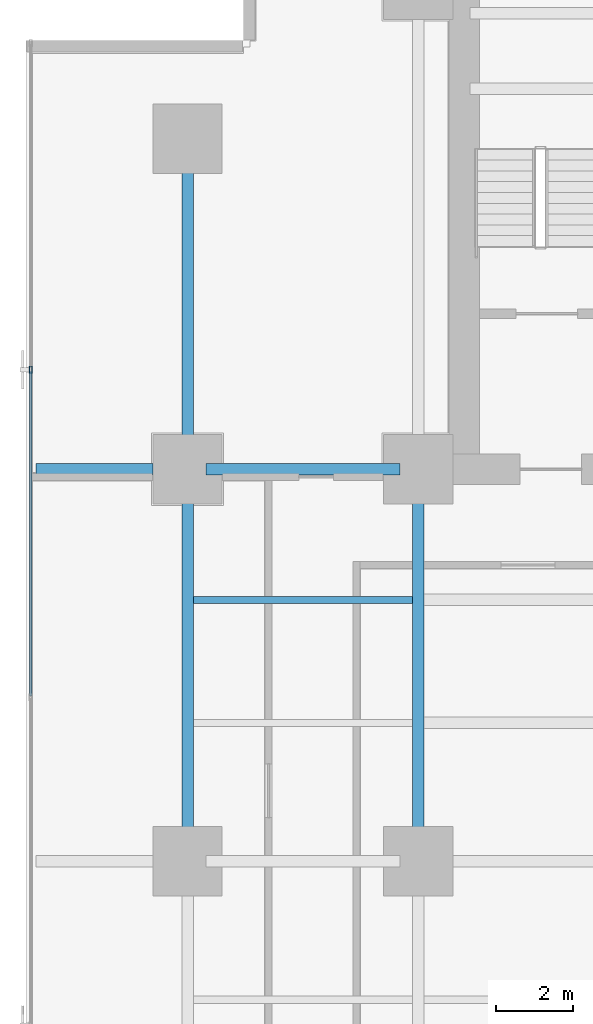
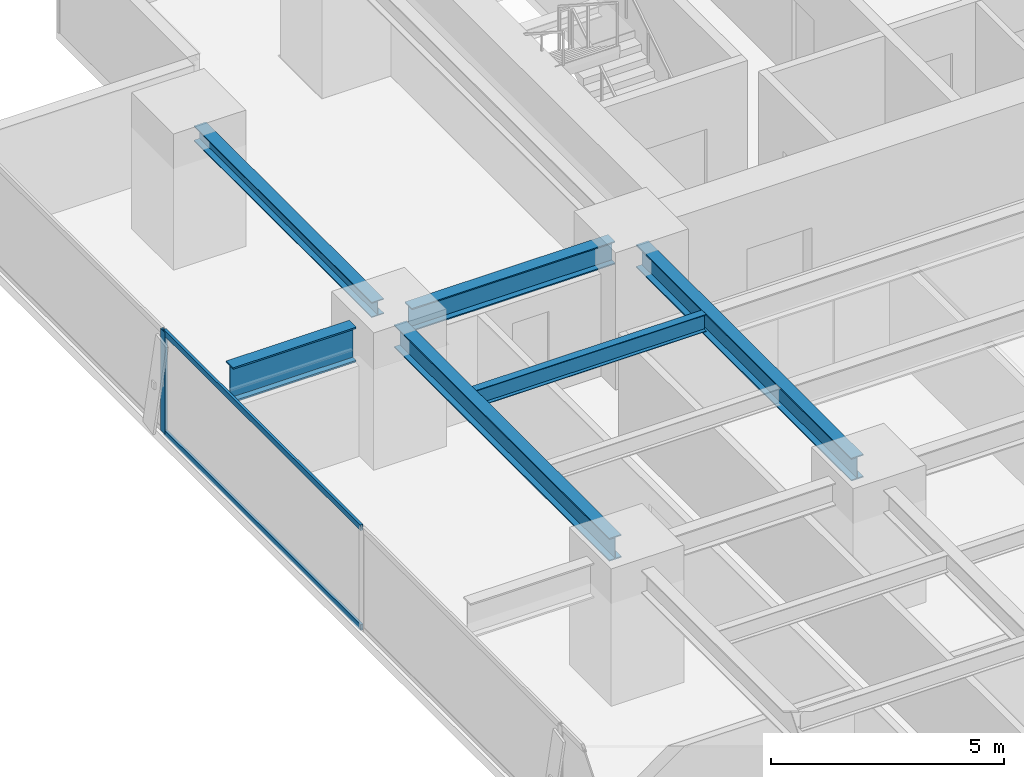
# One storey, part 16 of 33: 6 beams, 3 members, 1 element without a shape of its own.
"""IFC4 building model written with IfcOpenShell, lengths in metres."""

from ifc_helpers import new_model, si_unit, direction, frame, origin, origin_2d, place, context, subcontext, project, spatial, hollow_rectangle, i_section, extrude, source, transform, mapped, material, layer, layer_set, material_profile, profile_set, type_object, element, aggregate, save


model = new_model("IFC4")

# Units and contexts
model_context = context("Model", 3, precision=1e-05, world=origin(), true_north=direction((0.0, 1.0)))
body_context = subcontext(model_context, "Body", "Model", "MODEL_VIEW")
ifc_project = project(units=[si_unit("LENGTHUNIT", "METRE"), si_unit("AREAUNIT", "SQUARE_METRE"), si_unit("VOLUMEUNIT", "CUBIC_METRE"), si_unit("PLANEANGLEUNIT", "RADIAN"), si_unit("MASSUNIT", "GRAM", prefix="KILO")], contexts=[model_context])

# Site, building, storey
site_placement = place(None, origin())
site = spatial("IfcSite", under=ifc_project, at=site_placement, CompositionType="ELEMENT")
building_placement = place(site_placement, origin())
building = spatial("IfcBuilding", under=site, at=building_placement, Name="Sumidabori Civic Tower", CompositionType="ELEMENT")
storey_placement = place(building_placement, frame((0.0, 0.0, 66.800048828125)))
storey = spatial("IfcBuildingStorey", under=building, at=storey_placement, Name="L17", CompositionType="ELEMENT", Elevation=66.800048828125)

# Beams
ifc_material_1 = material(Name="Steel SN490", Category="steel")
ifc_material_profile_1 = material_profile(ifc_material_1, i_section(OverallWidth=0.300048828125, OverallDepth=0.60009765625, WebThickness=0.015380859375, FlangeThickness=0.030029296875, at=origin_2d()), Name="HE 600 B")
ifc_profile_set_1 = profile_set([ifc_material_profile_1], Name="Steel SN490")
beam_type_1 = type_object("IfcBeamType", Name="BM-GIRD-600", PredefinedType="BEAM", material=ifc_profile_set_1)
shared_shape_1 = source(origin(), body_context, "Body", "SweptSolid", [
    extrude(i_section(OverallWidth=0.300048828125, OverallDepth=0.60009765625, WebThickness=0.015380859375, FlangeThickness=0.030029296875, at=origin_2d()), origin(), (0.0, 0.0, 1.0), 5.0400390625),
])
beam_1_placement = place(storey_placement, frame((-22.320068359375, 10.199951171875, 3.0), z_axis=(1.0, 0.0, 0.0), x_axis=(0.0, 1.0, 0.0)))
element("IfcBeam", 1, at=beam_1_placement, inside=storey, type_object=beam_type_1, Name="Primary Girder L17 GX-19", PredefinedType="BEAM", context=body_context, shape_type="MappedRepresentation", body=[
    mapped(shared_shape_1, transform((0.0, 0.0, 0.0), x_axis=(1.0, 0.0, 0.0), y_axis=(0.0, 1.0, 0.0), z_axis=(0.0, 0.0, 1.0), scale=1.0)),
])
shared_shape_2 = source(origin(), body_context, "Body", "SweptSolid", [
    extrude(i_section(OverallWidth=0.300048828125, OverallDepth=0.60009765625, WebThickness=0.015380859375, FlangeThickness=0.030029296875, at=origin_2d()), origin(), (0.0, 0.0, 1.0), 9.239990234375),
])
for number, where, z_axis, x_axis, name in (
    (2, (-22.800048828125, 0.47998046875, 3.0), (0.0, 1.0, 0.0), (-1.0, 0.0, 0.0), "Primary Girder L17 GY-23"),
    (3, (-16.800048828125, 0.47998046875, 3.0), (0.0, 1.0, 0.0), (-1.0, 0.0, 0.0), "Primary Girder L17 GY-27"),
):
    element("IfcBeam", number, at=place(storey_placement, frame(where, z_axis=z_axis, x_axis=x_axis)), inside=storey, type_object=beam_type_1, Name=name, PredefinedType="BEAM", context=body_context, shape_type="MappedRepresentation", body=[
        mapped(shared_shape_2, transform((0.0, 0.0, 0.0), x_axis=(1.0, 0.0, 0.0), y_axis=(0.0, 1.0, 0.0), z_axis=(0.0, 0.0, 1.0), scale=1.0)),
    ])
ifc_material_profile_2 = material_profile(ifc_material_1, i_section(OverallWidth=0.300048828125, OverallDepth=0.39990234375, WebThickness=0.013427734375, FlangeThickness=0.02392578125, at=origin_2d()), Name="HE 400 B")
ifc_profile_set_2 = profile_set([ifc_material_profile_2], Name="Steel SN490")
beam_type_2 = type_object("IfcBeamType", Name="BM-GIRD-400", PredefinedType="BEAM", material=ifc_profile_set_2)
shared_shape_3 = source(origin(), body_context, "Body", "SweptSolid", [
    extrude(i_section(OverallWidth=0.300048828125, OverallDepth=0.39990234375, WebThickness=0.013427734375, FlangeThickness=0.02392578125, at=origin_2d()), origin(), (0.0, 0.0, 1.0), 7.64013671875),
])
beam_2_placement = place(storey_placement, frame((-22.800048828125, 10.679931640625, 3.099853515625), z_axis=(0.0, 1.0, 0.0), x_axis=(-1.0, 0.0, 0.0)))
element("IfcBeam", 4, at=beam_2_placement, inside=storey, type_object=beam_type_2, Name="Primary Girder L17 GY-24", PredefinedType="BEAM", context=body_context, shape_type="MappedRepresentation", body=[
    mapped(shared_shape_3, transform((0.0, 0.0, 0.0), x_axis=(1.0, 0.0, 0.0), y_axis=(0.0, 1.0, 0.0), z_axis=(0.0, 0.0, 1.0), scale=1.0)),
])
ifc_material_profile_3 = material_profile(ifc_material_1, i_section(OverallWidth=0.302001953125, OverallDepth=0.909912109375, WebThickness=0.02099609375, FlangeThickness=0.0400390625, at=origin_2d()), Name="HE 900 M")
ifc_profile_set_3 = profile_set([ifc_material_profile_3], Name="Steel SN490")
beam_type_3 = type_object("IfcBeamType", Name="BM-Z1-EDGE", PredefinedType="SPANDREL", material=ifc_profile_set_3)
shared_shape_4 = source(origin(), body_context, "Body", "SweptSolid", [
    extrude(i_section(OverallWidth=0.302001953125, OverallDepth=0.909912109375, WebThickness=0.02099609375, FlangeThickness=0.0400390625, at=origin_2d()), origin(), (0.0, 0.0, 1.0), 3.050048828125),
])
beam_3_placement = place(storey_placement, frame((-26.75, 10.199951171875, 2.844970703125), z_axis=(1.0, 0.0, 0.0), x_axis=(0.0, 1.0, 0.0)))
element("IfcBeam", 5, at=beam_3_placement, inside=storey, type_object=beam_type_3, Name="Perimeter Overhang Beam L17 W-48", PredefinedType="SPANDREL", context=body_context, shape_type="MappedRepresentation", body=[
    mapped(shared_shape_4, transform((0.0, 0.0, 0.0), x_axis=(1.0, 0.0, 0.0), y_axis=(0.0, 1.0, 0.0), z_axis=(0.0, 0.0, 1.0), scale=1.0)),
])
ifc_material_profile_4 = material_profile(ifc_material_1, i_section(OverallWidth=0.18994140625, OverallDepth=0.449951171875, WebThickness=0.009521484375, FlangeThickness=0.0146484375, at=origin_2d()), Name="IPE 450")
ifc_profile_set_4 = profile_set([ifc_material_profile_4], Name="Steel SN490")
beam_type_4 = type_object("IfcBeamType", Name="BM-JST-450", PredefinedType="JOIST", material=ifc_profile_set_4)
shared_shape_5 = source(origin(), body_context, "Body", "SweptSolid", [
    extrude(i_section(OverallWidth=0.18994140625, OverallDepth=0.449951171875, WebThickness=0.009521484375, FlangeThickness=0.0146484375, at=origin_2d()), origin(), (0.0, 0.0, 1.0), 5.699951171875),
])
beam_4_placement = place(storey_placement, frame((-22.64990234375, 6.800048828125, 3.074951171875), z_axis=(1.0, 0.0, 0.0), x_axis=(0.0, 1.0, 0.0)))
element("IfcBeam", 6, at=beam_4_placement, inside=storey, type_object=beam_type_4, Name="Outer Bay Floor Joist L17 JSTO-55", PredefinedType="JOIST", context=body_context, shape_type="MappedRepresentation", body=[
    mapped(shared_shape_5, transform((0.0, 0.0, 0.0), x_axis=(1.0, 0.0, 0.0), y_axis=(0.0, 1.0, 0.0), z_axis=(0.0, 0.0, 1.0), scale=1.0)),
])

# Curtain wall, members
ifc_material_2 = material(Name="Anodised Bronze Aluminium AW-6063-T6", Category="aluminium")
ifc_layer = layer(ifc_material_2, 0.179931640625, Name="Anodised Bronze Aluminium AW-6063-T6")
ifc_layer_set = layer_set([ifc_layer], Name="Anodised Bronze Aluminium AW-6063-T6")
curtain_wall_type = type_object("IfcCurtainWallType", Name="CW-SYS-2", PredefinedType="NOTDEFINED", material=ifc_layer_set)
curtain_wall_placement = place(storey_placement, origin())
curtain_wall = element("IfcCurtainWall", 7, at=curtain_wall_placement, inside=storey, type_object=curtain_wall_type, Name="Curtain Wall CW:L17:R10", PredefinedType="NOTDEFINED")
ifc_material_profile_5 = material_profile(ifc_material_2, hollow_rectangle(XDim=0.06494140625, YDim=0.14990234375, WallThickness=0.0048828125, at=origin_2d()), Name="ALU TRANSOM 150x65")
ifc_profile_set_5 = profile_set([ifc_material_profile_5], Name="Anodised Bronze Aluminium AW-6063-T6")
member_type_1 = type_object("IfcMemberType", Name="CW-TRN-150", PredefinedType="USERDEFINED", material=ifc_profile_set_5)
shared_shape_6 = source(origin(), body_context, "Body", "SweptSolid", [
    extrude(hollow_rectangle(XDim=0.06494140625, YDim=0.14990234375, WallThickness=0.0048828125, at=origin_2d()), origin(), (0.0, 0.0, 1.0), 8.4580078125),
])
member_1_placement = place(storey_placement, frame((-26.8798828125, 12.757080078125, 0.032470703125), z_axis=(0.0, -1.0, 0.0), x_axis=(1.0, 0.0, 0.0)))
member_1 = element("IfcMember", 8, at=member_1_placement, type_object=member_type_1, Name="CW-2 transom 2.1", ObjectType="TRANSOM", PredefinedType="USERDEFINED", context=body_context, shape_type="MappedRepresentation", body=[
    mapped(shared_shape_6, transform((0.0, 0.0, 0.0), x_axis=(1.0, 0.0, 0.0), y_axis=(0.0, 1.0, 0.0), z_axis=(0.0, 0.0, 1.0), scale=1.0)),
])
member_2_placement = place(storey_placement, frame((-26.8798828125, 12.757080078125, 2.6474609375), z_axis=(0.0, -1.0, 0.0), x_axis=(1.0, 0.0, 0.0)))
member_2 = element("IfcMember", 9, at=member_2_placement, type_object=member_type_1, Name="CW-2 transom 2.2", ObjectType="TRANSOM", PredefinedType="USERDEFINED", context=body_context, shape_type="MappedRepresentation", body=[
    mapped(shared_shape_6, transform((0.0, 0.0, 0.0), x_axis=(1.0, 0.0, 0.0), y_axis=(0.0, 1.0, 0.0), z_axis=(0.0, 0.0, 1.0), scale=1.0)),
])
ifc_material_profile_6 = material_profile(ifc_material_2, hollow_rectangle(XDim=0.070068359375, YDim=0.179931640625, WallThickness=0.006103515625, at=origin_2d()), Name="ALU MULLION 180x70")
ifc_profile_set_6 = profile_set([ifc_material_profile_6], Name="Anodised Bronze Aluminium AW-6063-T6")
member_type_2 = type_object("IfcMemberType", Name="CW-MUL-180", PredefinedType="MULLION", material=ifc_profile_set_6)
shared_shape_7 = source(origin(), body_context, "Body", "SweptSolid", [
    extrude(hollow_rectangle(XDim=0.070068359375, YDim=0.179931640625, WallThickness=0.006103515625, at=origin_2d()), origin(), (0.0, 0.0, 1.0), 2.679931640625),
])
member_3_placement = place(storey_placement, frame((-26.8798828125, 12.7919921875, 0.0), z_axis=(0.0, 0.0, 1.0), x_axis=(1.0, 0.0, 0.0)))
member_3 = element("IfcMember", 10, at=member_3_placement, type_object=member_type_2, Name="CW-2 mullion 2", PredefinedType="MULLION", context=body_context, shape_type="MappedRepresentation", body=[
    mapped(shared_shape_7, transform((0.0, 0.0, 0.0), x_axis=(1.0, 0.0, 0.0), y_axis=(0.0, 1.0, 0.0), z_axis=(0.0, 0.0, 1.0), scale=1.0)),
])
aggregate(curtain_wall, [member_3, member_1, member_2])

save(model, "model.ifc")
